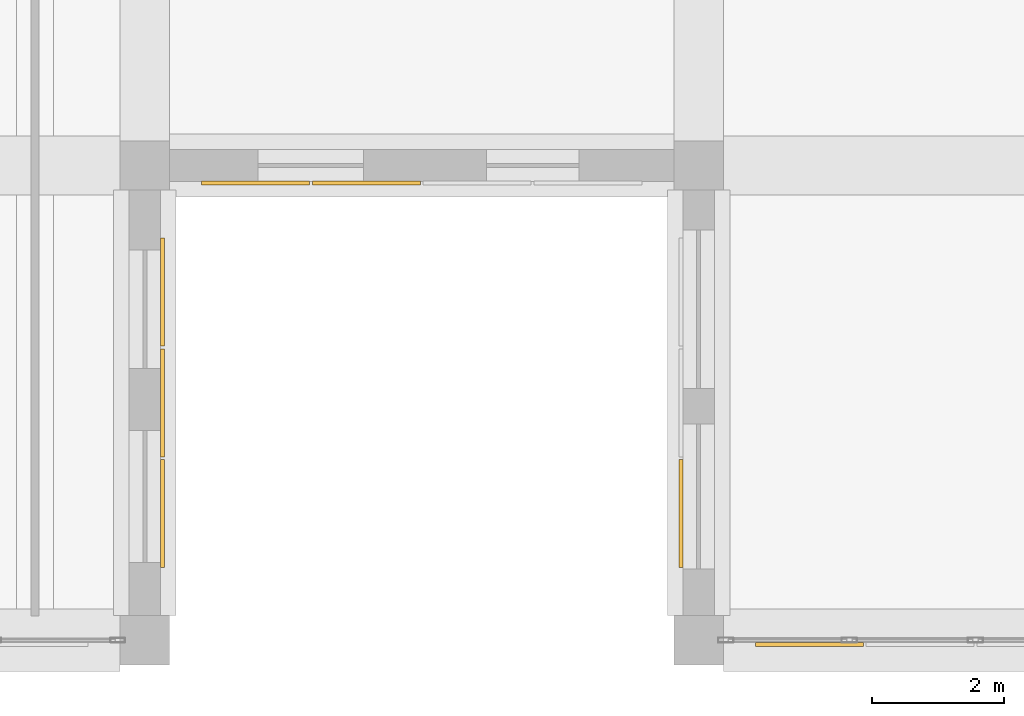
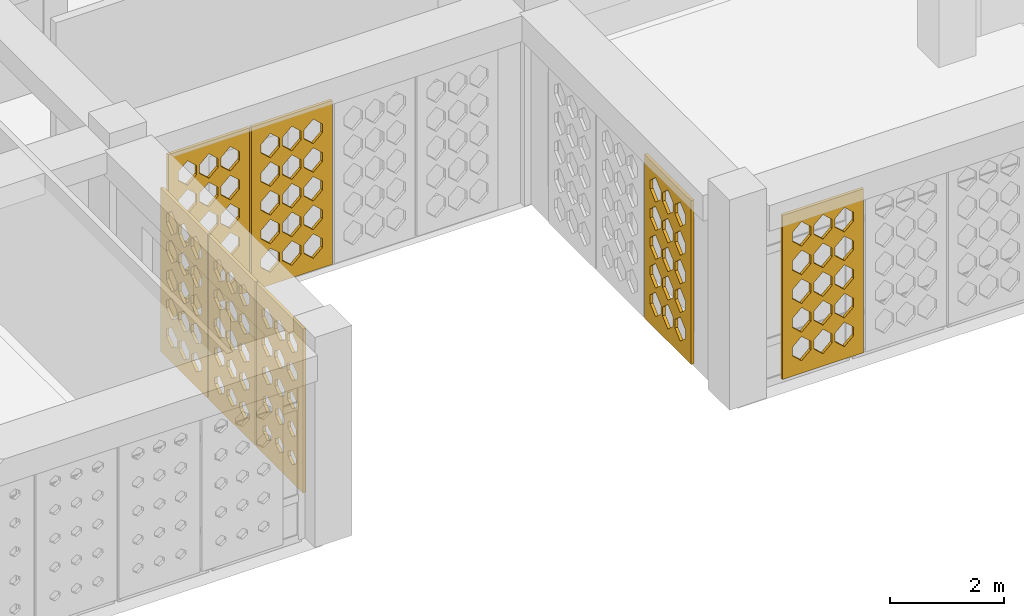
# One storey, part 84 of 111: 7 coverings.
"""IFC4 building model written with IfcOpenShell, lengths in metres."""

from ifc_helpers import new_model, si_unit, derived_unit, direction, frame, origin, place, context, subcontext, project, spatial, polyline, outline, extrude, material, layer, layer_set, type_object, element, save


model = new_model("IFC4")

# Units and contexts
model_context = context("Model", 3, precision=1e-05, world=origin(), true_north=direction((0.0, 1.0)))
body_context = subcontext(model_context, "Body", "Model", "MODEL_VIEW")
ifc_project = project(units=[si_unit("LENGTHUNIT", "METRE"), si_unit("AREAUNIT", "SQUARE_METRE"), si_unit("VOLUMEUNIT", "CUBIC_METRE"), si_unit("PLANEANGLEUNIT", "RADIAN"), si_unit("MASSUNIT", "GRAM", prefix="KILO"), derived_unit("THERMALTRANSMITTANCEUNIT", [(si_unit("POWERUNIT", "WATT"), 1), (si_unit("LENGTHUNIT", "METRE"), -2), (si_unit("THERMODYNAMICTEMPERATUREUNIT", "KELVIN"), -1)])], contexts=[model_context])

# Site, building, storey
site_placement = place(None, origin())
site = spatial("IfcSite", under=ifc_project, at=site_placement, CompositionType="ELEMENT")
building_placement = place(site_placement, origin())
building = spatial("IfcBuilding", under=site, at=building_placement, Name="Veybourne Emporium", CompositionType="ELEMENT")
storey_placement = place(building_placement, frame((0.0, 0.0, 9.89990234375)))
storey = spatial("IfcBuildingStorey", under=building, at=storey_placement, Name="L02", CompositionType="ELEMENT", Elevation=9.89990234375)

# Coverings
ifc_material = material(Name="Warm-White Perforated Aluminium Screen Alloy", Category="aluminium")
ifc_layer_1 = layer(ifc_material, 0.06005859375)
ifc_layer_set_1 = layer_set([ifc_layer_1], Name="Warm-White Perforated Aluminium Screen Alloy")
covering_type_1 = type_object("IfcCoveringType", Name="WaveScreen_SCR-01", PredefinedType="CLADDING", material=ifc_layer_set_1)
covering_1_placement = place(storey_placement, frame((84.298095703125, 3.60009765625, 1.815185546875), z_axis=(-1.0, 0.0, 0.0), x_axis=(0.0, -1.0, 0.0)))
element("IfcCovering", 1, at=covering_1_placement, inside=storey, type_object=covering_type_1, Name="L02 wave-perforated aluminium screen SCR-01 (40.2)", PredefinedType="CLADDING", context=body_context, shape_type="SweptSolid", body=[
    extrude(outline(polyline([(-0.81982421875, -1.7548828125), (0.81982421875, -1.7548828125), (0.81982421875, 1.7548828125), (-0.81982421875, 1.7548828125), (-0.81982421875, -1.7548828125)]), holes=[polyline([(-0.433349609375, -1.037109375), (-0.26708984375, -1.1591796875), (-0.26708984375, -1.296630859375), (-0.433349609375, -1.4189453125), (-0.599609375, -1.296630859375), (-0.599609375, -1.1591796875), (-0.433349609375, -1.037109375)]), polyline([(-0.433349609375, -0.408935546875), (-0.255615234375, -0.540283203125), (-0.255615234375, -0.687744140625), (-0.433349609375, -0.819091796875), (-0.611083984375, -0.687744140625), (-0.611083984375, -0.540283203125), (-0.433349609375, -0.408935546875)]), polyline([(-0.433349609375, 0.21875), (-0.2470703125, 0.078857421875), (-0.2470703125, -0.078857421875), (-0.433349609375, -0.21875), (-0.61962890625, -0.078857421875), (-0.61962890625, 0.078857421875), (-0.433349609375, 0.21875)]), polyline([(-0.433349609375, 0.845703125), (-0.2470703125, 0.697509765625), (-0.2470703125, 0.530517578125), (-0.433349609375, 0.382080078125), (-0.61962890625, 0.530517578125), (-0.61962890625, 0.697509765625), (-0.433349609375, 0.845703125)]), polyline([(-0.433349609375, 1.4716796875), (-0.2470703125, 1.315673828125), (-0.2470703125, 1.140380859375), (-0.433349609375, 0.984375), (-0.61962890625, 1.140380859375), (-0.61962890625, 1.315673828125), (-0.433349609375, 1.4716796875)]), polyline([(0.0, -1.04345703125), (0.160888671875, -1.16162109375), (0.160888671875, -1.29443359375), (0.0, -1.41259765625), (-0.160888671875, -1.29443359375), (-0.160888671875, -1.16162109375), (0.0, -1.04345703125)]), polyline([(0.0, -0.415283203125), (0.172607421875, -0.54248046875), (0.172607421875, -0.685546875), (0.0, -0.812744140625), (-0.172607421875, -0.685546875), (-0.172607421875, -0.54248046875), (0.0, -0.415283203125)]), polyline([(0.0, 0.212646484375), (0.18408203125, 0.07666015625), (0.18408203125, -0.07666015625), (0.0, -0.212646484375), (-0.18408203125, -0.07666015625), (-0.18408203125, 0.07666015625), (0.0, 0.212646484375)]), polyline([(0.0, 0.840087890625), (0.186279296875, 0.6953125), (0.186279296875, 0.53271484375), (0.0, 0.387939453125), (-0.186279296875, 0.53271484375), (-0.186279296875, 0.6953125), (0.0, 0.840087890625)]), polyline([(0.0, 1.46630859375), (0.186279296875, 1.313720703125), (0.186279296875, 1.14208984375), (0.0, 0.989501953125), (-0.186279296875, 1.14208984375), (-0.186279296875, 1.313720703125), (0.0, 1.46630859375)]), polyline([(0.433349609375, -1.0498046875), (0.589111328125, -1.163818359375), (0.589111328125, -1.2919921875), (0.433349609375, -1.406005859375), (0.277587890625, -1.2919921875), (0.277587890625, -1.163818359375), (0.433349609375, -1.0498046875)]), polyline([(0.433349609375, -0.421875), (0.6005859375, -0.544921875), (0.6005859375, -0.68310546875), (0.433349609375, -0.80615234375), (0.26611328125, -0.68310546875), (0.26611328125, -0.544921875), (0.433349609375, -0.421875)]), polyline([(0.433349609375, 0.206298828125), (0.6123046875, 0.07421875), (0.6123046875, -0.07421875), (0.433349609375, -0.206298828125), (0.25439453125, -0.07421875), (0.25439453125, 0.07421875), (0.433349609375, 0.206298828125)]), polyline([(0.433349609375, 0.833984375), (0.61962890625, 0.693115234375), (0.61962890625, 0.534912109375), (0.433349609375, 0.393798828125), (0.2470703125, 0.534912109375), (0.2470703125, 0.693115234375), (0.433349609375, 0.833984375)]), polyline([(0.433349609375, 1.4609375), (0.61962890625, 1.31201171875), (0.61962890625, 1.14404296875), (0.433349609375, 0.9951171875), (0.2470703125, 1.14404296875), (0.2470703125, 1.31201171875), (0.433349609375, 1.4609375)])]), origin(), (0.0, 0.0, 1.0), 0.06005859375),
])
covering_2_placement = place(storey_placement, frame((87.360107421875, 6.90185546875, 1.815185546875), z_axis=(0.0, 1.0, 0.0), x_axis=(-1.0, 0.0, 0.0)))
element("IfcCovering", 2, at=covering_2_placement, inside=storey, type_object=covering_type_1, Name="L02 wave-perforated aluminium screen SCR-01 (43.3)", PredefinedType="CLADDING", context=body_context, shape_type="SweptSolid", body=[
    extrude(outline(polyline([(-0.81982421875, -1.7548828125), (0.81982421875, -1.7548828125), (0.81982421875, 1.7548828125), (-0.81982421875, 1.7548828125), (-0.81982421875, -1.7548828125)]), holes=[polyline([(-0.433349609375, -0.964111328125), (-0.2470703125, -1.133056640625), (-0.2470703125, -1.322998046875), (-0.433349609375, -1.491943359375), (-0.61962890625, -1.322998046875), (-0.61962890625, -1.133056640625), (-0.433349609375, -0.964111328125)]), polyline([(-0.433349609375, -0.35009765625), (-0.2470703125, -0.51904296875), (-0.2470703125, -0.708984375), (-0.433349609375, -0.8779296875), (-0.61962890625, -0.708984375), (-0.61962890625, -0.51904296875), (-0.433349609375, -0.35009765625)]), polyline([(-0.433349609375, 0.263916015625), (-0.2470703125, 0.094970703125), (-0.2470703125, -0.094970703125), (-0.433349609375, -0.263916015625), (-0.61962890625, -0.094970703125), (-0.61962890625, 0.094970703125), (-0.433349609375, 0.263916015625)]), polyline([(-0.433349609375, 0.8779296875), (-0.2470703125, 0.708984375), (-0.2470703125, 0.51904296875), (-0.433349609375, 0.35009765625), (-0.61962890625, 0.51904296875), (-0.61962890625, 0.708984375), (-0.433349609375, 0.8779296875)]), polyline([(-0.433349609375, 1.491943359375), (-0.2470703125, 1.322998046875), (-0.2470703125, 1.133056640625), (-0.433349609375, 0.964111328125), (-0.61962890625, 1.133056640625), (-0.61962890625, 1.322998046875), (-0.433349609375, 1.491943359375)]), polyline([(0.0, -0.964111328125), (0.186279296875, -1.133056640625), (0.186279296875, -1.322998046875), (0.0, -1.491943359375), (-0.186279296875, -1.322998046875), (-0.186279296875, -1.133056640625), (0.0, -0.964111328125)]), polyline([(0.0, -0.35009765625), (0.186279296875, -0.51904296875), (0.186279296875, -0.708984375), (0.0, -0.8779296875), (-0.186279296875, -0.708984375), (-0.186279296875, -0.51904296875), (0.0, -0.35009765625)]), polyline([(0.0, 0.263916015625), (0.186279296875, 0.094970703125), (0.186279296875, -0.094970703125), (0.0, -0.263916015625), (-0.186279296875, -0.094970703125), (-0.186279296875, 0.094970703125), (0.0, 0.263916015625)]), polyline([(0.0, 0.8779296875), (0.186279296875, 0.708984375), (0.186279296875, 0.51904296875), (0.0, 0.35009765625), (-0.186279296875, 0.51904296875), (-0.186279296875, 0.708984375), (0.0, 0.8779296875)]), polyline([(0.0, 1.491943359375), (0.186279296875, 1.322998046875), (0.186279296875, 1.133056640625), (0.0, 0.964111328125), (-0.186279296875, 1.133056640625), (-0.186279296875, 1.322998046875), (0.0, 1.491943359375)]), polyline([(0.433349609375, -0.966796875), (0.61962890625, -1.134033203125), (0.61962890625, -1.322021484375), (0.433349609375, -1.489013671875), (0.2470703125, -1.322021484375), (0.2470703125, -1.134033203125), (0.433349609375, -0.966796875)]), polyline([(0.433349609375, -0.35009765625), (0.61962890625, -0.51904296875), (0.61962890625, -0.708984375), (0.433349609375, -0.8779296875), (0.2470703125, -0.708984375), (0.2470703125, -0.51904296875), (0.433349609375, -0.35009765625)]), polyline([(0.433349609375, 0.263916015625), (0.61962890625, 0.094970703125), (0.61962890625, -0.094970703125), (0.433349609375, -0.263916015625), (0.2470703125, -0.094970703125), (0.2470703125, 0.094970703125), (0.433349609375, 0.263916015625)]), polyline([(0.433349609375, 0.8779296875), (0.61962890625, 0.708984375), (0.61962890625, 0.51904296875), (0.433349609375, 0.35009765625), (0.2470703125, 0.51904296875), (0.2470703125, 0.708984375), (0.433349609375, 0.8779296875)]), polyline([(0.433349609375, 1.491943359375), (0.61962890625, 1.322998046875), (0.61962890625, 1.133056640625), (0.433349609375, 0.964111328125), (0.2470703125, 1.133056640625), (0.2470703125, 1.322998046875), (0.433349609375, 1.491943359375)])]), origin(), (0.0, 0.0, 1.0), 0.06005859375),
])
covering_3_placement = place(storey_placement, frame((94.080078125, -0.096923828125, 1.815185546875), z_axis=(0.0, 1.0, 0.0), x_axis=(-1.0, 0.0, 0.0)))
element("IfcCovering", 3, at=covering_3_placement, inside=storey, type_object=covering_type_1, Name="L02 wave-perforated aluminium screen SCR-01 (46C.4)", PredefinedType="CLADDING", context=body_context, shape_type="SweptSolid", body=[
    extrude(outline(polyline([(-0.81982421875, -1.7548828125), (0.81982421875, -1.7548828125), (0.81982421875, 1.7548828125), (-0.81982421875, 1.7548828125), (-0.81982421875, -1.7548828125)]), holes=[polyline([(-0.433349609375, -0.964111328125), (-0.2470703125, -1.133056640625), (-0.2470703125, -1.322998046875), (-0.433349609375, -1.491943359375), (-0.61962890625, -1.322998046875), (-0.61962890625, -1.133056640625), (-0.433349609375, -0.964111328125)]), polyline([(-0.433349609375, -0.35009765625), (-0.2470703125, -0.51904296875), (-0.2470703125, -0.708984375), (-0.433349609375, -0.8779296875), (-0.61962890625, -0.708984375), (-0.61962890625, -0.51904296875), (-0.433349609375, -0.35009765625)]), polyline([(-0.433349609375, 0.263916015625), (-0.2470703125, 0.094970703125), (-0.2470703125, -0.094970703125), (-0.433349609375, -0.263916015625), (-0.61962890625, -0.094970703125), (-0.61962890625, 0.094970703125), (-0.433349609375, 0.263916015625)]), polyline([(-0.433349609375, 0.8779296875), (-0.2470703125, 0.708984375), (-0.2470703125, 0.51904296875), (-0.433349609375, 0.35009765625), (-0.61962890625, 0.51904296875), (-0.61962890625, 0.708984375), (-0.433349609375, 0.8779296875)]), polyline([(-0.433349609375, 1.491943359375), (-0.2470703125, 1.322998046875), (-0.2470703125, 1.133056640625), (-0.433349609375, 0.964111328125), (-0.61962890625, 1.133056640625), (-0.61962890625, 1.322998046875), (-0.433349609375, 1.491943359375)]), polyline([(0.0, -0.9658203125), (0.186279296875, -1.133544921875), (0.186279296875, -1.322509765625), (0.0, -1.490234375), (-0.186279296875, -1.322509765625), (-0.186279296875, -1.133544921875), (0.0, -0.9658203125)]), polyline([(0.0, -0.35009765625), (0.186279296875, -0.51904296875), (0.186279296875, -0.708984375), (0.0, -0.8779296875), (-0.186279296875, -0.708984375), (-0.186279296875, -0.51904296875), (0.0, -0.35009765625)]), polyline([(0.0, 0.263916015625), (0.186279296875, 0.094970703125), (0.186279296875, -0.094970703125), (0.0, -0.263916015625), (-0.186279296875, -0.094970703125), (-0.186279296875, 0.094970703125), (0.0, 0.263916015625)]), polyline([(0.0, 0.8779296875), (0.186279296875, 0.708984375), (0.186279296875, 0.51904296875), (0.0, 0.35009765625), (-0.186279296875, 0.51904296875), (-0.186279296875, 0.708984375), (0.0, 0.8779296875)]), polyline([(0.0, 1.491943359375), (0.186279296875, 1.322998046875), (0.186279296875, 1.133056640625), (0.0, 0.964111328125), (-0.186279296875, 1.133056640625), (-0.186279296875, 1.322998046875), (0.0, 1.491943359375)]), polyline([(0.433349609375, -0.96923828125), (0.61962890625, -1.135009765625), (0.61962890625, -1.321044921875), (0.433349609375, -1.48681640625), (0.2470703125, -1.321044921875), (0.2470703125, -1.135009765625), (0.433349609375, -0.96923828125)]), polyline([(0.433349609375, -0.35009765625), (0.61962890625, -0.51904296875), (0.61962890625, -0.708984375), (0.433349609375, -0.8779296875), (0.2470703125, -0.708984375), (0.2470703125, -0.51904296875), (0.433349609375, -0.35009765625)]), polyline([(0.433349609375, 0.263916015625), (0.61962890625, 0.094970703125), (0.61962890625, -0.094970703125), (0.433349609375, -0.263916015625), (0.2470703125, -0.094970703125), (0.2470703125, 0.094970703125), (0.433349609375, 0.263916015625)]), polyline([(0.433349609375, 0.8779296875), (0.61962890625, 0.708984375), (0.61962890625, 0.51904296875), (0.433349609375, 0.35009765625), (0.2470703125, 0.51904296875), (0.2470703125, 0.708984375), (0.433349609375, 0.8779296875)]), polyline([(0.433349609375, 1.491943359375), (0.61962890625, 1.322998046875), (0.61962890625, 1.133056640625), (0.433349609375, 0.964111328125), (0.2470703125, 1.133056640625), (0.2470703125, 1.322998046875), (0.433349609375, 1.491943359375)])]), origin(), (0.0, 0.0, 1.0), 0.06005859375),
])
ifc_layer_2 = layer(ifc_material, 0.06005859375)
ifc_layer_set_2 = layer_set([ifc_layer_2], Name="Warm-White Perforated Aluminium Screen Alloy")
covering_type_2 = type_object("IfcCoveringType", Name="WaveScreen_SCR-02", PredefinedType="CLADDING", material=ifc_layer_set_2)
covering_4_placement = place(storey_placement, frame((84.298095703125, 1.919921875, 1.815185546875), z_axis=(-1.0, 0.0, 0.0), x_axis=(0.0, -1.0, 0.0)))
element("IfcCovering", 4, at=covering_4_placement, inside=storey, type_object=covering_type_2, Name="L02 wave-perforated aluminium screen SCR-02 (40.3)", PredefinedType="CLADDING", context=body_context, shape_type="SweptSolid", body=[
    extrude(outline(polyline([(-0.81982421875, -1.7548828125), (0.81982421875, -1.7548828125), (0.81982421875, 1.7548828125), (-0.81982421875, 1.7548828125), (-0.81982421875, -1.7548828125)]), holes=[polyline([(-0.433349609375, -1.0615234375), (-0.287109375, -1.168212890625), (-0.287109375, -1.287841796875), (-0.433349609375, -1.394287109375), (-0.57958984375, -1.287841796875), (-0.57958984375, -1.168212890625), (-0.433349609375, -1.0615234375)]), polyline([(-0.433349609375, -0.433837890625), (-0.27587890625, -0.549072265625), (-0.27587890625, -0.678955078125), (-0.433349609375, -0.794189453125), (-0.5908203125, -0.678955078125), (-0.5908203125, -0.549072265625), (-0.433349609375, -0.433837890625)]), polyline([(-0.433349609375, 0.1943359375), (-0.264404296875, 0.070068359375), (-0.264404296875, -0.070068359375), (-0.433349609375, -0.1943359375), (-0.602294921875, -0.070068359375), (-0.602294921875, 0.070068359375), (-0.433349609375, 0.1943359375)]), polyline([(-0.433349609375, 0.822509765625), (-0.252685546875, 0.68896484375), (-0.252685546875, 0.5390625), (-0.433349609375, 0.405517578125), (-0.614013671875, 0.5390625), (-0.614013671875, 0.68896484375), (-0.433349609375, 0.822509765625)]), polyline([(-0.433349609375, 1.4501953125), (-0.2470703125, 1.307861328125), (-0.2470703125, 1.148193359375), (-0.433349609375, 1.005859375), (-0.61962890625, 1.148193359375), (-0.61962890625, 1.307861328125), (-0.433349609375, 1.4501953125)]), polyline([(0.0, -1.067626953125), (0.141357421875, -1.170166015625), (0.141357421875, -1.285888671875), (0.0, -1.388427734375), (-0.141357421875, -1.285888671875), (-0.141357421875, -1.170166015625), (0.0, -1.067626953125)]), polyline([(0.0, -0.440185546875), (0.15234375, -0.551513671875), (0.15234375, -0.676513671875), (0.0, -0.787841796875), (-0.15234375, -0.676513671875), (-0.15234375, -0.551513671875), (0.0, -0.440185546875)]), polyline([(0.0, 0.18798828125), (0.163818359375, 0.067626953125), (0.163818359375, -0.067626953125), (0.0, -0.18798828125), (-0.163818359375, -0.067626953125), (-0.163818359375, 0.067626953125), (0.0, 0.18798828125)]), polyline([(0.0, 0.816162109375), (0.17529296875, 0.686767578125), (0.17529296875, 0.541259765625), (0.0, 0.411865234375), (-0.17529296875, 0.541259765625), (-0.17529296875, 0.686767578125), (0.0, 0.816162109375)]), polyline([(0.0, 1.444091796875), (0.186279296875, 1.3056640625), (0.186279296875, 1.150390625), (0.0, 1.011962890625), (-0.186279296875, 1.150390625), (-0.186279296875, 1.3056640625), (0.0, 1.444091796875)]), polyline([(0.433349609375, -1.073486328125), (0.56982421875, -1.17236328125), (0.56982421875, -1.28369140625), (0.433349609375, -1.382568359375), (0.296875, -1.28369140625), (0.296875, -1.17236328125), (0.433349609375, -1.073486328125)]), polyline([(0.433349609375, -0.4462890625), (0.58056640625, -0.5537109375), (0.58056640625, -0.67431640625), (0.433349609375, -0.78173828125), (0.2861328125, -0.67431640625), (0.2861328125, -0.5537109375), (0.433349609375, -0.4462890625)]), polyline([(0.433349609375, 0.181396484375), (0.591796875, 0.065185546875), (0.591796875, -0.065185546875), (0.433349609375, -0.181396484375), (0.27490234375, -0.065185546875), (0.27490234375, 0.065185546875), (0.433349609375, 0.181396484375)]), polyline([(0.433349609375, 0.809814453125), (0.603515625, 0.684326171875), (0.603515625, 0.543701171875), (0.433349609375, 0.418212890625), (0.26318359375, 0.543701171875), (0.26318359375, 0.684326171875), (0.433349609375, 0.809814453125)]), polyline([(0.433349609375, 1.437744140625), (0.614990234375, 1.303466796875), (0.614990234375, 1.152587890625), (0.433349609375, 1.018310546875), (0.251708984375, 1.152587890625), (0.251708984375, 1.303466796875), (0.433349609375, 1.437744140625)])]), origin(), (0.0, 0.0, 1.0), 0.06005859375),
])
covering_5_placement = place(storey_placement, frame((85.679931640625, 6.90185546875, 1.815185546875), z_axis=(0.0, 1.0, 0.0), x_axis=(-1.0, 0.0, 0.0)))
element("IfcCovering", 5, at=covering_5_placement, inside=storey, type_object=covering_type_2, Name="L02 wave-perforated aluminium screen SCR-02 (43.4)", PredefinedType="CLADDING", context=body_context, shape_type="SweptSolid", body=[
    extrude(outline(polyline([(-0.81982421875, -1.7548828125), (0.81982421875, -1.7548828125), (0.81982421875, 1.7548828125), (-0.81982421875, 1.7548828125), (-0.81982421875, -1.7548828125)]), holes=[polyline([(-0.433349609375, -0.974365234375), (-0.2470703125, -1.13671875), (-0.2470703125, -1.3193359375), (-0.433349609375, -1.481689453125), (-0.61962890625, -1.3193359375), (-0.61962890625, -1.13671875), (-0.433349609375, -0.974365234375)]), polyline([(-0.433349609375, -0.351806640625), (-0.2470703125, -0.51953125), (-0.2470703125, -0.70849609375), (-0.433349609375, -0.876220703125), (-0.61962890625, -0.70849609375), (-0.61962890625, -0.51953125), (-0.433349609375, -0.351806640625)]), polyline([(-0.433349609375, 0.263916015625), (-0.2470703125, 0.094970703125), (-0.2470703125, -0.094970703125), (-0.433349609375, -0.263916015625), (-0.61962890625, -0.094970703125), (-0.61962890625, 0.094970703125), (-0.433349609375, 0.263916015625)]), polyline([(-0.433349609375, 0.8779296875), (-0.2470703125, 0.708984375), (-0.2470703125, 0.51904296875), (-0.433349609375, 0.35009765625), (-0.61962890625, 0.51904296875), (-0.61962890625, 0.708984375), (-0.433349609375, 0.8779296875)]), polyline([(-0.433349609375, 1.491943359375), (-0.2470703125, 1.322998046875), (-0.2470703125, 1.133056640625), (-0.433349609375, 0.964111328125), (-0.61962890625, 1.133056640625), (-0.61962890625, 1.322998046875), (-0.433349609375, 1.491943359375)]), polyline([(0.0, -0.978759765625), (0.186279296875, -1.13818359375), (0.186279296875, -1.317626953125), (0.0, -1.477294921875), (-0.186279296875, -1.317626953125), (-0.186279296875, -1.13818359375), (0.0, -0.978759765625)]), polyline([(0.0, -0.35546875), (0.186279296875, -0.52099609375), (0.186279296875, -0.70703125), (0.0, -0.87255859375), (-0.186279296875, -0.70703125), (-0.186279296875, -0.52099609375), (0.0, -0.35546875)]), polyline([(0.0, 0.263916015625), (0.186279296875, 0.094970703125), (0.186279296875, -0.094970703125), (0.0, -0.263916015625), (-0.186279296875, -0.094970703125), (-0.186279296875, 0.094970703125), (0.0, 0.263916015625)]), polyline([(0.0, 0.8779296875), (0.186279296875, 0.708984375), (0.186279296875, 0.51904296875), (0.0, 0.35009765625), (-0.186279296875, 0.51904296875), (-0.186279296875, 0.708984375), (0.0, 0.8779296875)]), polyline([(0.0, 1.491943359375), (0.186279296875, 1.322998046875), (0.186279296875, 1.133056640625), (0.0, 0.964111328125), (-0.186279296875, 1.133056640625), (-0.186279296875, 1.322998046875), (0.0, 1.491943359375)]), polyline([(0.433349609375, -0.983642578125), (0.61962890625, -1.139892578125), (0.61962890625, -1.31591796875), (0.433349609375, -1.472412109375), (0.2470703125, -1.31591796875), (0.2470703125, -1.139892578125), (0.433349609375, -0.983642578125)]), polyline([(0.433349609375, -0.359619140625), (0.61962890625, -0.5224609375), (0.61962890625, -0.70556640625), (0.433349609375, -0.868408203125), (0.2470703125, -0.70556640625), (0.2470703125, -0.5224609375), (0.433349609375, -0.359619140625)]), polyline([(0.433349609375, 0.262939453125), (0.61962890625, 0.0947265625), (0.61962890625, -0.0947265625), (0.433349609375, -0.262939453125), (0.2470703125, -0.0947265625), (0.2470703125, 0.0947265625), (0.433349609375, 0.262939453125)]), polyline([(0.433349609375, 0.8779296875), (0.61962890625, 0.708984375), (0.61962890625, 0.51904296875), (0.433349609375, 0.35009765625), (0.2470703125, 0.51904296875), (0.2470703125, 0.708984375), (0.433349609375, 0.8779296875)]), polyline([(0.433349609375, 1.491943359375), (0.61962890625, 1.322998046875), (0.61962890625, 1.133056640625), (0.433349609375, 0.964111328125), (0.2470703125, 1.133056640625), (0.2470703125, 1.322998046875), (0.433349609375, 1.491943359375)])]), origin(), (0.0, 0.0, 1.0), 0.06005859375),
])
ifc_layer_3 = layer(ifc_material, 0.06005859375)
ifc_layer_set_3 = layer_set([ifc_layer_3], Name="Warm-White Perforated Aluminium Screen Alloy")
covering_type_3 = type_object("IfcCoveringType", Name="WaveScreen_SCR-03", PredefinedType="CLADDING", material=ifc_layer_set_3)
covering_6_placement = place(storey_placement, frame((92.10205078125, 1.919921875, 1.815185546875), z_axis=(1.0, 0.0, 0.0), x_axis=(0.0, 1.0, 0.0)))
element("IfcCovering", 6, at=covering_6_placement, inside=storey, type_object=covering_type_3, Name="L02 wave-perforated aluminium screen SCR-03 (47.1)", PredefinedType="CLADDING", context=body_context, shape_type="SweptSolid", body=[
    extrude(outline(polyline([(-0.81982421875, -1.7548828125), (0.81982421875, -1.7548828125), (0.81982421875, 1.7548828125), (-0.81982421875, 1.7548828125), (-0.81982421875, -1.7548828125)]), holes=[polyline([(-0.433349609375, -0.968994140625), (-0.2470703125, -1.134765625), (-0.2470703125, -1.3212890625), (-0.433349609375, -1.487060546875), (-0.61962890625, -1.3212890625), (-0.61962890625, -1.134765625), (-0.433349609375, -0.968994140625)]), polyline([(-0.433349609375, -0.35009765625), (-0.2470703125, -0.51904296875), (-0.2470703125, -0.708984375), (-0.433349609375, -0.8779296875), (-0.61962890625, -0.708984375), (-0.61962890625, -0.51904296875), (-0.433349609375, -0.35009765625)]), polyline([(-0.433349609375, 0.263916015625), (-0.2470703125, 0.094970703125), (-0.2470703125, -0.094970703125), (-0.433349609375, -0.263916015625), (-0.61962890625, -0.094970703125), (-0.61962890625, 0.094970703125), (-0.433349609375, 0.263916015625)]), polyline([(-0.433349609375, 0.8779296875), (-0.2470703125, 0.708984375), (-0.2470703125, 0.51904296875), (-0.433349609375, 0.35009765625), (-0.61962890625, 0.51904296875), (-0.61962890625, 0.708984375), (-0.433349609375, 0.8779296875)]), polyline([(-0.433349609375, 1.491943359375), (-0.2470703125, 1.322998046875), (-0.2470703125, 1.133056640625), (-0.433349609375, 0.964111328125), (-0.61962890625, 1.133056640625), (-0.61962890625, 1.322998046875), (-0.433349609375, 1.491943359375)]), polyline([(0.0, -0.96533203125), (0.186279296875, -1.133544921875), (0.186279296875, -1.322509765625), (0.0, -1.490478515625), (-0.186279296875, -1.322509765625), (-0.186279296875, -1.133544921875), (0.0, -0.96533203125)]), polyline([(0.0, -0.35009765625), (0.186279296875, -0.51904296875), (0.186279296875, -0.708984375), (0.0, -0.8779296875), (-0.186279296875, -0.708984375), (-0.186279296875, -0.51904296875), (0.0, -0.35009765625)]), polyline([(0.0, 0.263916015625), (0.186279296875, 0.094970703125), (0.186279296875, -0.094970703125), (0.0, -0.263916015625), (-0.186279296875, -0.094970703125), (-0.186279296875, 0.094970703125), (0.0, 0.263916015625)]), polyline([(0.0, 0.8779296875), (0.186279296875, 0.708984375), (0.186279296875, 0.51904296875), (0.0, 0.35009765625), (-0.186279296875, 0.51904296875), (-0.186279296875, 0.708984375), (0.0, 0.8779296875)]), polyline([(0.0, 1.491943359375), (0.186279296875, 1.322998046875), (0.186279296875, 1.133056640625), (0.0, 0.964111328125), (-0.186279296875, 1.133056640625), (-0.186279296875, 1.322998046875), (0.0, 1.491943359375)]), polyline([(0.433349609375, -0.964111328125), (0.61962890625, -1.133056640625), (0.61962890625, -1.322998046875), (0.433349609375, -1.491943359375), (0.2470703125, -1.322998046875), (0.2470703125, -1.133056640625), (0.433349609375, -0.964111328125)]), polyline([(0.433349609375, -0.35009765625), (0.61962890625, -0.51904296875), (0.61962890625, -0.708984375), (0.433349609375, -0.8779296875), (0.2470703125, -0.708984375), (0.2470703125, -0.51904296875), (0.433349609375, -0.35009765625)]), polyline([(0.433349609375, 0.263916015625), (0.61962890625, 0.094970703125), (0.61962890625, -0.094970703125), (0.433349609375, -0.263916015625), (0.2470703125, -0.094970703125), (0.2470703125, 0.094970703125), (0.433349609375, 0.263916015625)]), polyline([(0.433349609375, 0.8779296875), (0.61962890625, 0.708984375), (0.61962890625, 0.51904296875), (0.433349609375, 0.35009765625), (0.2470703125, 0.51904296875), (0.2470703125, 0.708984375), (0.433349609375, 0.8779296875)]), polyline([(0.433349609375, 1.491943359375), (0.61962890625, 1.322998046875), (0.61962890625, 1.133056640625), (0.433349609375, 0.964111328125), (0.2470703125, 1.133056640625), (0.2470703125, 1.322998046875), (0.433349609375, 1.491943359375)])]), origin(), (0.0, 0.0, 1.0), 0.06005859375),
])
ifc_layer_4 = layer(ifc_material, 0.06005859375)
ifc_layer_set_4 = layer_set([ifc_layer_4], Name="Warm-White Perforated Aluminium Screen Alloy")
covering_type_4 = type_object("IfcCoveringType", Name="WaveScreen_SCR-04", PredefinedType="CLADDING", material=ifc_layer_set_4)
covering_7_placement = place(storey_placement, frame((84.298095703125, 5.280029296875, 1.815185546875), z_axis=(-1.0, 0.0, 0.0), x_axis=(0.0, -1.0, 0.0)))
element("IfcCovering", 7, at=covering_7_placement, inside=storey, type_object=covering_type_4, Name="L02 wave-perforated aluminium screen SCR-04 (40.1)", PredefinedType="CLADDING", context=body_context, shape_type="SweptSolid", body=[
    extrude(outline(polyline([(-0.81982421875, -1.7548828125), (0.81982421875, -1.7548828125), (0.81982421875, 1.7548828125), (-0.81982421875, 1.7548828125), (-0.81982421875, -1.7548828125)]), holes=[polyline([(-0.433349609375, -1.012451171875), (-0.2470703125, -1.150390625), (-0.2470703125, -1.3056640625), (-0.433349609375, -1.443603515625), (-0.61962890625, -1.3056640625), (-0.61962890625, -1.150390625), (-0.433349609375, -1.012451171875)]), polyline([(-0.433349609375, -0.38525390625), (-0.2470703125, -0.531494140625), (-0.2470703125, -0.6962890625), (-0.433349609375, -0.8427734375), (-0.61962890625, -0.6962890625), (-0.61962890625, -0.531494140625), (-0.433349609375, -0.38525390625)]), polyline([(-0.433349609375, 0.240966796875), (-0.2470703125, 0.086669921875), (-0.2470703125, -0.086669921875), (-0.433349609375, -0.240966796875), (-0.61962890625, -0.086669921875), (-0.61962890625, 0.086669921875), (-0.433349609375, 0.240966796875)]), polyline([(-0.433349609375, 0.865478515625), (-0.2470703125, 0.70458984375), (-0.2470703125, 0.5234375), (-0.433349609375, 0.3623046875), (-0.61962890625, 0.5234375), (-0.61962890625, 0.70458984375), (-0.433349609375, 0.865478515625)]), polyline([(-0.433349609375, 1.488525390625), (-0.2470703125, 1.32177734375), (-0.2470703125, 1.13427734375), (-0.433349609375, 0.96728515625), (-0.61962890625, 1.13427734375), (-0.61962890625, 1.32177734375), (-0.433349609375, 1.488525390625)]), polyline([(0.0, -1.018798828125), (0.181396484375, -1.152587890625), (0.181396484375, -1.303466796875), (0.0, -1.437255859375), (-0.181396484375, -1.303466796875), (-0.181396484375, -1.152587890625), (0.0, -1.018798828125)]), polyline([(0.0, -0.39111328125), (0.186279296875, -0.53369140625), (0.186279296875, -0.694091796875), (0.0, -0.8369140625), (-0.186279296875, -0.694091796875), (-0.186279296875, -0.53369140625), (0.0, -0.39111328125)]), polyline([(0.0, 0.235595703125), (0.186279296875, 0.084716796875), (0.186279296875, -0.084716796875), (0.0, -0.235595703125), (-0.186279296875, -0.084716796875), (-0.186279296875, 0.084716796875), (0.0, 0.235595703125)]), polyline([(0.0, 0.861083984375), (0.186279296875, 0.702880859375), (0.186279296875, 0.525146484375), (0.0, 0.366943359375), (-0.186279296875, 0.525146484375), (-0.186279296875, 0.702880859375), (0.0, 0.861083984375)]), polyline([(0.0, 1.48486328125), (0.186279296875, 1.3203125), (0.186279296875, 1.135498046875), (0.0, 0.97119140625), (-0.186279296875, 1.135498046875), (-0.186279296875, 1.3203125), (0.0, 1.48486328125)]), polyline([(0.433349609375, -1.02490234375), (0.609375, -1.15478515625), (0.609375, -1.301025390625), (0.433349609375, -1.430908203125), (0.25732421875, -1.301025390625), (0.25732421875, -1.15478515625), (0.433349609375, -1.02490234375)]), polyline([(0.433349609375, -0.397216796875), (0.61962890625, -0.535888671875), (0.61962890625, -0.692138671875), (0.433349609375, -0.830810546875), (0.2470703125, -0.692138671875), (0.2470703125, -0.535888671875), (0.433349609375, -0.397216796875)]), polyline([(0.433349609375, 0.22998046875), (0.61962890625, 0.082763671875), (0.61962890625, -0.082763671875), (0.433349609375, -0.22998046875), (0.2470703125, -0.082763671875), (0.2470703125, 0.082763671875), (0.433349609375, 0.22998046875)]), polyline([(0.433349609375, 0.85595703125), (0.61962890625, 0.701171875), (0.61962890625, 0.52685546875), (0.433349609375, 0.3720703125), (0.2470703125, 0.52685546875), (0.2470703125, 0.701171875), (0.433349609375, 0.85595703125)]), polyline([(0.433349609375, 1.48046875), (0.61962890625, 1.31884765625), (0.61962890625, 1.13720703125), (0.433349609375, 0.9755859375), (0.2470703125, 1.13720703125), (0.2470703125, 1.31884765625), (0.433349609375, 1.48046875)])]), origin(), (0.0, 0.0, 1.0), 0.06005859375),
])

save(model, "model.ifc")
